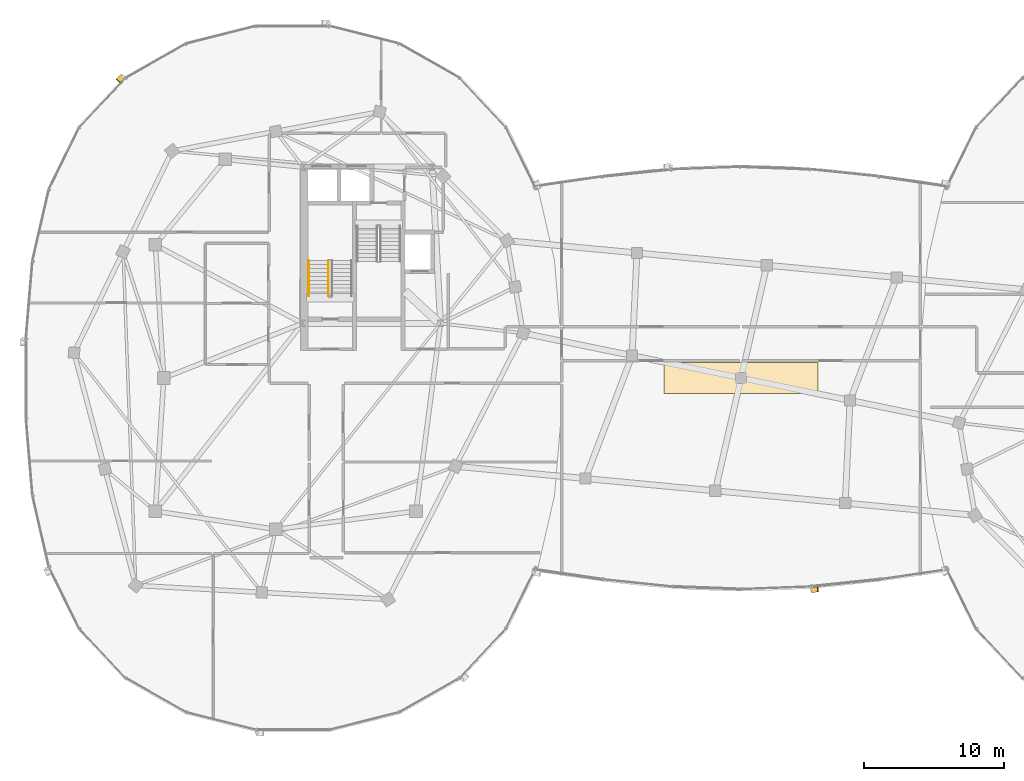
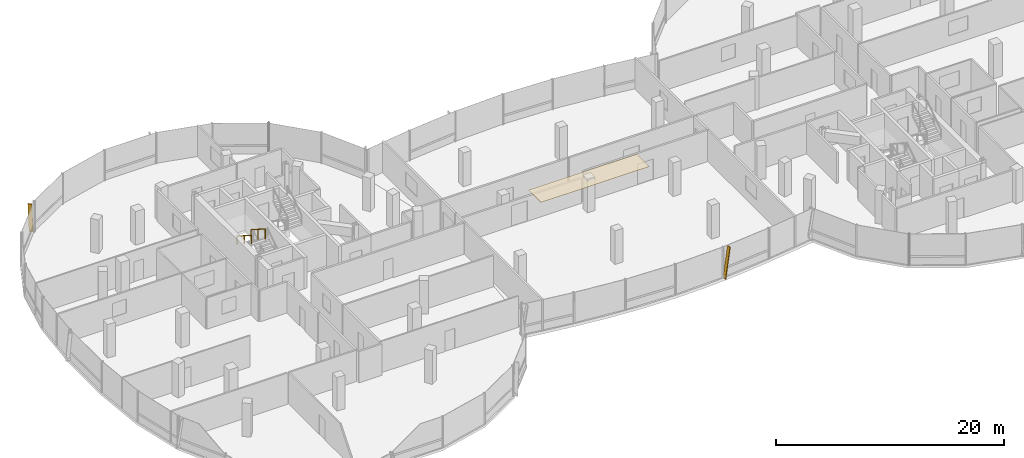
# One storey, part 23 of 26: 2 railings, 2 shading devices, 1 covering.
"""IFC4 building model written with IfcOpenShell, lengths in metres."""

from ifc_helpers import new_model, si_unit, direction, frame, origin, origin_2d, place, context, subcontext, project, spatial, polyline, rectangle, outline, extrude, material, layer, layer_set, material_profile, profile_set, type_object, element, save


model = new_model("IFC4")

# Units and contexts
model_context = context("Model", 3, precision=1e-05, world=origin(), true_north=direction((0.0, 1.0)))
body_context = subcontext(model_context, "Body", "Model", "MODEL_VIEW")
ifc_project = project(units=[si_unit("LENGTHUNIT", "METRE"), si_unit("AREAUNIT", "SQUARE_METRE"), si_unit("VOLUMEUNIT", "CUBIC_METRE"), si_unit("PLANEANGLEUNIT", "RADIAN"), si_unit("MASSUNIT", "GRAM", prefix="KILO"), si_unit("THERMODYNAMICTEMPERATUREUNIT", "KELVIN"), si_unit("POWERUNIT", "WATT")], contexts=[model_context])

# Site, building, storey
site_placement = place(None, origin())
site = spatial("IfcSite", under=ifc_project, at=site_placement, CompositionType="ELEMENT")
building_placement = place(site_placement, origin())
building = spatial("IfcBuilding", under=site, at=building_placement, Name="Cundina Bronze Exchange", CompositionType="ELEMENT")
storey_placement = place(building_placement, frame((0.0, 0.0, 243.199951171875)))
storey = spatial("IfcBuildingStorey", under=building, at=storey_placement, Name="L64", CompositionType="ELEMENT", Elevation=243.199951171875)

# Covering
ifc_material_1 = material(Name="Mineral Acoustic Ceiling Tile 18mm")
ifc_layer = layer(ifc_material_1, 0.01806640625, Name="Mineral Acoustic Ceiling Tile 18mm")
ifc_layer_set = layer_set([ifc_layer], Name="Mineral Acoustic Ceiling Tile 18mm")
covering_type = type_object("IfcCoveringType", Name="COV-CLG-AC18", PredefinedType="CEILING", material=ifc_layer_set)
covering_placement = place(storey_placement, frame((0.0, 0.0, 3.322021484375)))
element("IfcCovering", 1, at=covering_placement, inside=storey, type_object=covering_type, Name="L64 Suspended Mineral Acoustic Ceiling", PredefinedType="CEILING", context=body_context, shape_type="SweptSolid", body=[
    extrude(outline(polyline([(-5.5, -1.10009765625), (5.5, -1.10009765625), (5.5, 1.10009765625), (-5.5, 1.10009765625), (-5.5, -1.10009765625)])), origin(), (0.0, 0.0, 1.0), 0.01806640625),
])

# Railings
ifc_material_2 = material(Name="Steel ASTM A36 Painted", Category="steel")
railing_type_1 = type_object("IfcRailingType", Name="RLG-HND-900", PredefinedType="HANDRAIL", material=ifc_material_2)
railing_1_placement = place(storey_placement, frame((-30.85009765625, 8.3701171875, 1.97998046875)))
element("IfcRailing", 2, at=railing_1_placement, inside=storey, type_object=railing_type_1, Name="L64 ST-W1 stair handrail 2", PredefinedType="HANDRAIL", context=body_context, shape_type="SweptSolid", body=[
    extrude(rectangle(XDim=0.048095703125, YDim=0.048095703125, at=origin_2d()), frame((0.0, 0.0, 0.8759765625), z_axis=(0.0, -0.841162588446, 0.540782303519), x_axis=(1.0, 0.0, 0.0)), (0.0, 0.0, 1.0), 2.995849609375),
    extrude(rectangle(XDim=0.0419921875, YDim=0.0419921875, at=origin_2d()), origin(), (0.0, 0.0, 1.0), 0.851806640625),
    extrude(rectangle(XDim=0.0419921875, YDim=0.0419921875, at=origin_2d()), frame((0.0, -1.260009765625, 0.81005859375)), (0.0, 0.0, 1.0), 0.851806640625),
    extrude(rectangle(XDim=0.0419921875, YDim=0.0419921875, at=origin_2d()), frame((0.0, -2.52001953125, 1.6201171875)), (0.0, 0.0, 1.0), 0.851806640625),
])
railing_type_2 = type_object("IfcRailingType", Name="RLG-STG-1100", PredefinedType="GUARDRAIL", material=ifc_material_2)
railing_2_placement = place(storey_placement, frame((-29.449951171875, 8.3701171875, 1.97998046875)))
element("IfcRailing", 3, at=railing_2_placement, inside=storey, type_object=railing_type_2, Name="L64 ST-W1 stair guard 3", PredefinedType="GUARDRAIL", context=body_context, shape_type="SweptSolid", body=[
    extrude(rectangle(XDim=0.048095703125, YDim=0.048095703125, at=origin_2d()), frame((0.0, 0.0, 1.076171875), z_axis=(0.0, -0.841162588446, 0.540782303519), x_axis=(1.0, 0.0, 0.0)), (0.0, 0.0, 1.0), 2.995849609375),
    extrude(rectangle(XDim=0.0419921875, YDim=0.0419921875, at=origin_2d()), origin(), (0.0, 0.0, 1.0), 1.052001953125),
    extrude(rectangle(XDim=0.0419921875, YDim=0.0419921875, at=origin_2d()), frame((0.0, -1.260009765625, 0.81005859375)), (0.0, 0.0, 1.0), 1.052001953125),
    extrude(rectangle(XDim=0.0419921875, YDim=0.0419921875, at=origin_2d()), frame((0.0, -2.52001953125, 1.6201171875)), (0.0, 0.0, 1.0), 1.052001953125),
])

# Shading devices
ifc_material_3 = material(Name="Anodised Bronze Aluminium 6063-T6", Category="aluminium")
ifc_material_profile = material_profile(ifc_material_3, rectangle(XDim=0.070068359375, YDim=0.3798828125, at=origin_2d()), Name="FIN70X380", Category="aluminium")
ifc_profile_set = profile_set([ifc_material_profile], Name="Anodised Bronze Aluminium 6063-T6")
shading_device_type = type_object("IfcShadingDeviceType", Name="SHD-FIN-BRZ380", PredefinedType="USERDEFINED", material=ifc_profile_set)
shading_device_1_placement = place(storey_placement, frame((-44.122314453125, 21.55078125, 0.02001953125), z_axis=(-0.098541444371, -0.10491076507, 0.989587446926), x_axis=(0.677505727677, 0.721296959704, 0.143932918008)))
element("IfcShadingDevice", 4, at=shading_device_1_placement, inside=storey, type_object=shading_device_type, Name="L64 Diagonal Bronze Solar Fin 1", ObjectType="FIN", PredefinedType="USERDEFINED", context=body_context, shape_type="SweptSolid", body=[
    extrude(rectangle(XDim=0.070068359375, YDim=0.3798828125, at=origin_2d()), origin(), (0.0, 0.0, 1.0), 3.334716796875),
])
shading_device_2_placement = place(storey_placement, frame((5.0146484375, -15.12890625, 0.02001953125), z_axis=(0.145724273631, 0.015056932621, 0.989210657471), x_axis=(-0.983972150742, -0.101668733734, 0.14650008582)))
element("IfcShadingDevice", 5, at=shading_device_2_placement, inside=storey, type_object=shading_device_type, Name="L64 Diagonal Bronze Solar Fin 5", ObjectType="FIN", PredefinedType="USERDEFINED", context=body_context, shape_type="SweptSolid", body=[
    extrude(rectangle(XDim=0.070068359375, YDim=0.3798828125, at=origin_2d()), origin(), (0.0, 0.0, 1.0), 3.275390625),
])

save(model, "model.ifc")
